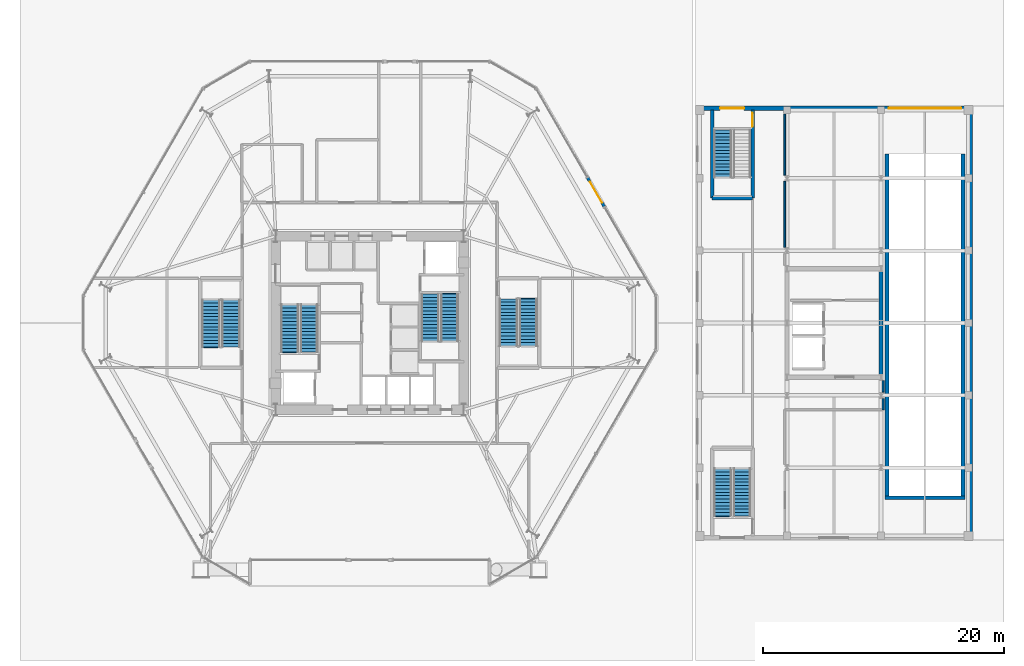
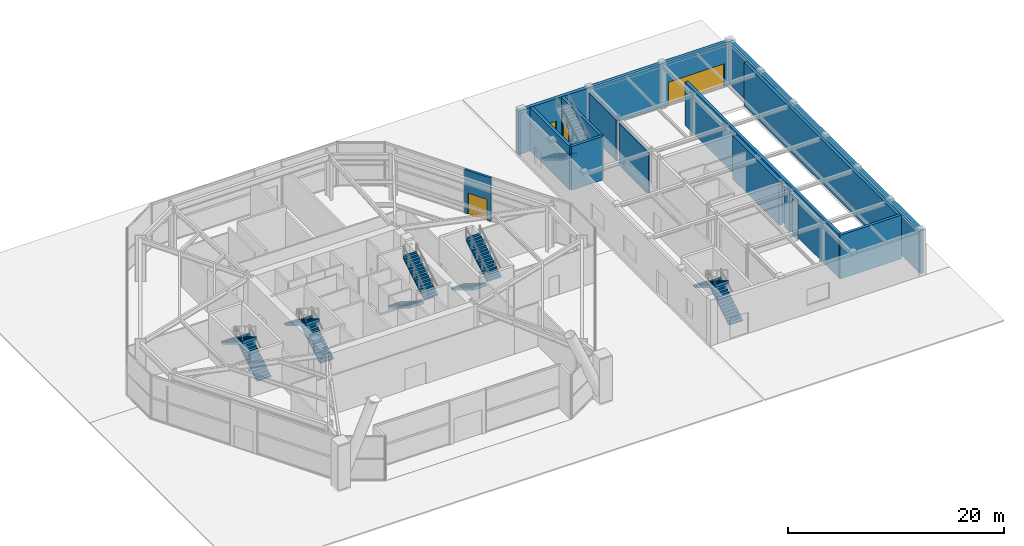
# One storey, part 20 of 26: 14 walls, 11 stair flights, 4 doors, 4 openings, 6 elements without a shape of their own.
"""IFC4 building model written with IfcOpenShell, lengths in metres."""

from ifc_helpers import new_model, si_unit, direction, frame, frame_2d, origin, place, context, subcontext, project, spatial, polyline, rectangle, outline, extrude, material, layer, layer_set, type_object, element, fill, aggregate, save


model = new_model("IFC4")

# Units and contexts
model_context = context("Model", 3, precision=1e-05, world=origin(), true_north=direction((0.0, 1.0)))
body_context = subcontext(model_context, "Body", "Model", "MODEL_VIEW")
ifc_project = project(units=[si_unit("LENGTHUNIT", "METRE"), si_unit("AREAUNIT", "SQUARE_METRE"), si_unit("VOLUMEUNIT", "CUBIC_METRE"), si_unit("PLANEANGLEUNIT", "RADIAN"), si_unit("MASSUNIT", "GRAM", prefix="KILO")], contexts=[model_context])

# Site, building, storey
site_placement = place(None, origin())
site = spatial("IfcSite", under=ifc_project, at=site_placement, CompositionType="ELEMENT")
building_placement = place(site_placement, origin())
building = spatial("IfcBuilding", under=site, at=building_placement, Name="Kranzbogen Civic Tower", CompositionType="ELEMENT")
storey_placement = place(building_placement, origin())
storey = spatial("IfcBuildingStorey", under=building, at=storey_placement, Name="L00", CompositionType="ELEMENT", Elevation=0.0)

# Walls
ifc_material_1 = material(Name="Double-Stud Acoustic Gypsum Partition")
ifc_layer_1 = layer(ifc_material_1, 0.14990234375, Name="Double-Stud Acoustic Gypsum Partition")
ifc_layer_set_1 = layer_set([ifc_layer_1], Name="Double-Stud Acoustic Gypsum Partition")
wall_type_1 = type_object("IfcWallType", Name="Acoustic Corridor and Clinical Partition 150 mm", PredefinedType="PARTITIONING", material=ifc_layer_set_1)
wall_1_placement = place(storey_placement, frame((59.425048828125, 31.264892578125, 0.0), z_axis=(0.0, 0.0, 1.0), x_axis=(0.0, 1.0, 0.0)))
element("IfcWall", 1, at=wall_1_placement, inside=storey, type_object=wall_type_1, Name="L00 clinical corridor E2 wall part 2", PredefinedType="PARTITIONING", context=body_context, shape_type="SweptSolid", body=[
    extrude(rectangle(XDim=5.47021484375, YDim=0.14990234375, at=frame_2d((2.735107421875, 0.0))), origin(), (0.0, 0.0, 1.0), 4.580078125),
])
wall_2_placement = place(storey_placement, frame((59.425048828125, 37.264892578125, 0.0), z_axis=(0.0, 0.0, 1.0), x_axis=(0.0, 1.0, 0.0)))
element("IfcWall", 2, at=wall_2_placement, inside=storey, type_object=wall_type_1, Name="L00 clinical corridor E2 wall part 3", PredefinedType="PARTITIONING", context=body_context, shape_type="SweptSolid", body=[
    extrude(rectangle(XDim=5.045166015625, YDim=0.14990234375, at=frame_2d((2.5224609375, 0.0))), origin(), (0.0, 0.0, 1.0), 4.580078125),
])
wall_3_placement = place(storey_placement, frame((67.574951171875, 17.800048828125, 0.0), z_axis=(0.0, 0.0, 1.0), x_axis=(0.0, 1.0, 0.0)))
element("IfcWall", 3, at=wall_3_placement, inside=storey, type_object=wall_type_1, Name="L00 clinical partition 01 part 1", PredefinedType="PARTITIONING", context=body_context, shape_type="SweptSolid", body=[
    extrude(rectangle(XDim=0.93505859375, YDim=0.14990234375, at=frame_2d((0.467529296875, 0.0))), origin(), (0.0, 0.0, 1.0), 4.580078125),
])
wall_4_placement = place(storey_placement, frame((67.574951171875, 19.264892578125, 0.0), z_axis=(0.0, 0.0, 1.0), x_axis=(0.0, 1.0, 0.0)))
element("IfcWall", 4, at=wall_4_placement, inside=storey, type_object=wall_type_1, Name="L00 clinical partition 01 part 2", PredefinedType="PARTITIONING", context=body_context, shape_type="SweptSolid", body=[
    extrude(rectangle(XDim=0.945068359375, YDim=0.14990234375, at=frame_2d((0.47265625, 0.0))), origin(), (0.0, 0.0, 1.0), 4.580078125),
])
ifc_material_2 = material(Name="Concrete C40/50", Category="concrete")
ifc_layer_2 = layer(ifc_material_2, 0.35009765625, Name="Concrete C40/50")
ifc_layer_set_2 = layer_set([ifc_layer_2], Name="Concrete C40/50")
wall_type_2 = type_object("IfcWallType", Name="Health Centre Core Shear Wall 350 mm", PredefinedType="SHEAR", material=ifc_layer_set_2)
wall_5_placement = place(storey_placement, frame((67.39990234375, 20.675048828125, 0.0), z_axis=(0.0, 0.0, 1.0), x_axis=(0.0, 1.0, 0.0)))
element("IfcWall", 5, at=wall_5_placement, inside=storey, type_object=wall_type_2, Name="L00 Health Centre core East shear wall", PredefinedType="SHEAR", context=body_context, shape_type="SweptSolid", body=[
    extrude(rectangle(XDim=8.64990234375, YDim=0.35009765625, at=frame_2d((4.324951171875, 0.0))), origin(), (0.0, 0.0, 1.0), 4.93994140625),
])

# Wall, openings, doors
ifc_material_3 = material(Name="Precast concrete C40/50", Category="concrete")
ifc_layer_3 = layer(ifc_material_3, 0.3798828125, Name="Precast concrete C40/50")
ifc_layer_set_3 = layer_set([ifc_layer_3], Name="Precast concrete C40/50")
wall_type_3 = type_object("IfcWallType", Name="Health Centre Insulated Precast Facade Wall 380 mm", PredefinedType="STANDARD", material=ifc_layer_set_3)
wall_6_placement = place(storey_placement, frame((52.0, 42.81005859375, 0.0), z_axis=(0.0, 0.0, 1.0), x_axis=(1.0, 0.0, 0.0)))
wall_6 = element("IfcWall", 6, at=wall_6_placement, inside=storey, type_object=wall_type_3, Name="L00 Health Centre North facade wall", PredefinedType="STANDARD", context=body_context, shape_type="SweptSolid", body=[
    extrude(rectangle(XDim=23.0, YDim=0.3798828125, at=frame_2d((11.5, 0.0))), origin(), (0.0, 0.0, 1.0), 4.93994140625),
])
opening_1_placement = place(wall_6_placement, frame((2.050048828125, 0.0, 0.0)))
opening_1 = element("IfcOpeningElement", 7, at=opening_1_placement, cuts=wall_6, Name="Opening D-EXP", PredefinedType="OPENING", context=body_context, shape_type="SweptSolid", body=[
    extrude(rectangle(XDim=2.0, YDim=2.39990234375, at=frame_2d((1.0, 1.199951171875))), frame((0.0, 0.199951171875, 0.0), z_axis=(0.0, -1.0, 0.0), x_axis=(1.0, 0.0, 0.0)), (0.0, 0.0, 1.0), 0.39990234375),
])
opening_2_placement = place(wall_6_placement, frame((16.050048828125, 0.0, 0.0)))
opening_2 = element("IfcOpeningElement", 8, at=opening_2_placement, cuts=wall_6, Name="Opening D-VG1", PredefinedType="OPENING", context=body_context, shape_type="SweptSolid", body=[
    extrude(rectangle(XDim=6.0, YDim=2.60009765625, at=frame_2d((3.0, 1.300048828125))), frame((0.0, 0.199951171875, 0.0), z_axis=(0.0, -1.0, 0.0), x_axis=(1.0, 0.0, 0.0)), (0.0, 0.0, 1.0), 0.39990234375),
])
ifc_material_4 = material(Name="Pale Anodised Aluminium", Category="aluminium")
door_type_1 = type_object("IfcDoorType", Name="Car Park Ramp Exterior Roller Shutter 6000x2600", OperationType="ROLLINGUP", PredefinedType="GATE", material=ifc_material_4)
door_1_placement = place(opening_2_placement, origin())
door_1 = element("IfcDoor", 9, at=door_1_placement, inside=storey, type_object=door_type_1, Name="Car park vehicle ramp exterior roller shutter D-VG1", OperationType="ROLLINGUP", OverallHeight=2.60009765625, OverallWidth=6.0, PredefinedType="GATE", context=body_context, shape_type="SweptSolid", body=[
    extrude(rectangle(XDim=6.0, YDim=2.60009765625, at=frame_2d((3.0, 1.300048828125))), frame((0.0, 0.02490234375, 0.0), z_axis=(0.0, -1.0, 0.0), x_axis=(1.0, 0.0, 0.0)), (0.0, 0.0, 1.0), 0.050048828125),
])
fill(opening_2, door_1)
door_type_2 = type_object("IfcDoorType", Name="Statutory Emergency Exit Discharge Door 2000x2400", OperationType="DOUBLE_DOOR_SINGLE_SWING", PredefinedType="DOOR", material=ifc_material_4)
door_2_placement = place(opening_1_placement, origin())
door_2 = element("IfcDoor", 10, at=door_2_placement, inside=storey, type_object=door_type_2, Name="L00 Health Centre Stair 2 exterior exit door", OperationType="DOUBLE_DOOR_SINGLE_SWING", OverallHeight=2.39990234375, OverallWidth=2.0, PredefinedType="DOOR", context=body_context, shape_type="SweptSolid", body=[
    extrude(rectangle(XDim=2.0, YDim=2.39990234375, at=frame_2d((1.0, 1.199951171875))), frame((0.0, 0.02490234375, 0.0), z_axis=(0.0, -1.0, 0.0), x_axis=(1.0, 0.0, 0.0)), (0.0, 0.0, 1.0), 0.050048828125),
])
fill(opening_1, door_2)

# Wall
wall_7_placement = place(storey_placement, frame((74.81005859375, 42.6201171875, 0.0), z_axis=(0.0, 0.0, 1.0), x_axis=(0.0, -1.0, 0.0)))
element("IfcWall", 11, at=wall_7_placement, inside=storey, type_object=wall_type_3, Name="L00 Health Centre East facade wall", PredefinedType="STANDARD", context=body_context, shape_type="SweptSolid", body=[
    extrude(rectangle(XDim=35.240234375, YDim=0.3798828125, at=frame_2d((17.6201171875, 0.0))), origin(), (0.0, 0.0, 1.0), 4.93994140625),
])

# Wall, opening, door
ifc_layer_4 = layer(ifc_material_4, 0.239990234375, Name="Pale Anodised Aluminium")
ifc_layer_set_4 = layer_set([ifc_layer_4], Name="Pale Anodised Aluminium")
wall_type_4 = type_object("IfcWallType", Name="Insulated Aluminium Facade Portal Wall 240 mm", PredefinedType="STANDARD", material=ifc_layer_set_4)
wall_8_placement = place(storey_placement, frame((44.468994140625, 34.6240234375, 0.0), z_axis=(0.0, 0.0, 1.0), x_axis=(-0.49994636267, 0.866056369097, 0.0)))
wall_8 = element("IfcWall", 12, at=wall_8_placement, inside=storey, type_object=wall_type_4, Name="L00 exterior entrance portal wall 1", PredefinedType="STANDARD", context=body_context, shape_type="SweptSolid", body=[
    extrude(rectangle(XDim=2.800048828125, YDim=0.239990234375, at=frame_2d((1.39990234375, 0.0))), origin(), (0.0, 0.0, 1.0), 4.93994140625),
])
opening_3_placement = place(wall_8_placement, frame((0.39990234375, 0.0, 0.0)))
opening_3 = element("IfcOpeningElement", 13, at=opening_3_placement, cuts=wall_8, Name="Opening D-EXP", PredefinedType="OPENING", context=body_context, shape_type="SweptSolid", body=[
    extrude(rectangle(XDim=2.0, YDim=2.39990234375, at=frame_2d((1.0, 1.199951171875))), frame((0.0, 0.1298828125, 0.0), z_axis=(0.0, -1.0, 0.0), x_axis=(1.0, 0.0, 0.0)), (0.0, 0.0, 1.0), 0.260009765625),
])
door_3_placement = place(opening_3_placement, frame((2.0, 0.0, 0.0), z_axis=(0.0, 0.0, 1.0), x_axis=(-1.0, 0.0, 0.0)))
door_3 = element("IfcDoor", 14, at=door_3_placement, inside=storey, type_object=door_type_2, Name="L00 East civic plaza exit door", OperationType="DOUBLE_DOOR_SINGLE_SWING", OverallHeight=2.39990234375, OverallWidth=2.0, PredefinedType="DOOR", context=body_context, shape_type="SweptSolid", body=[
    extrude(rectangle(XDim=2.0, YDim=2.39990234375, at=frame_2d((1.0, 1.199951171875))), frame((0.0, 0.02490234375, 0.0), z_axis=(0.0, -1.0, 0.0), x_axis=(1.0, 0.0, 0.0)), (0.0, 0.0, 1.0), 0.050048828125),
])
fill(opening_3, door_3)

# Walls
ifc_layer_5 = layer(ifc_material_2, 0.300048828125, Name="Concrete C40/50")
ifc_layer_set_5 = layer_set([ifc_layer_5], Name="Concrete C40/50")
wall_type_5 = type_object("IfcWallType", Name="Structural Ramp and Stair Shaft Wall 300 mm", PredefinedType="SOLIDWALL", material=ifc_layer_set_5)
for number, where, z_axis, x_axis, name in (
    (15, (67.89990234375, 10.5, 0.0), (0.0, 0.0, 1.0), (0.0, 1.0, 0.0), "L00 vehicle ramp West shaft wall"),
    (16, (74.199951171875, 10.5, 0.0), (0.0, 0.0, 1.0), (0.0, 1.0, 0.0), "L00 vehicle ramp East shaft wall"),
):
    element("IfcWall", number, at=place(storey_placement, frame(where, z_axis=z_axis, x_axis=x_axis)), inside=storey, type_object=wall_type_5, Name=name, PredefinedType="SOLIDWALL", context=body_context, shape_type="SweptSolid", body=[
        extrude(rectangle(XDim=28.5, YDim=0.300048828125, at=frame_2d((14.25, 0.0))), origin(), (0.0, 0.0, 1.0), 4.93994140625),
    ])
wall_9_placement = place(storey_placement, frame((67.75, 10.5, 0.0), z_axis=(0.0, 0.0, 1.0), x_axis=(1.0, 0.0, 0.0)))
element("IfcWall", 17, at=wall_9_placement, inside=storey, type_object=wall_type_5, Name="L00 vehicle ramp South enclosure wall", PredefinedType="SOLIDWALL", context=body_context, shape_type="SweptSolid", body=[
    extrude(rectangle(XDim=6.60009765625, YDim=0.300048828125, at=frame_2d((3.300048828125, 0.0))), origin(), (0.0, 0.0, 1.0), 4.93994140625),
])

# Wall, opening, door
wall_10_placement = place(storey_placement, frame((56.75, 35.35009765625, 0.0), z_axis=(0.0, 0.0, 1.0), x_axis=(0.0, 1.0, 0.0)))
wall_10 = element("IfcWall", 18, at=wall_10_placement, inside=storey, type_object=wall_type_5, Name="L00 STH2 E structural stair wall", PredefinedType="SOLIDWALL", context=body_context, shape_type="SweptSolid", body=[
    extrude(rectangle(XDim=7.2998046875, YDim=0.300048828125, at=frame_2d((3.64990234375, 0.0))), origin(), (0.0, 0.0, 1.0), 4.93994140625),
])
opening_4_placement = place(wall_10_placement, frame((5.919921875, 0.0, 0.0)))
opening_4 = element("IfcOpeningElement", 19, at=opening_4_placement, cuts=wall_10, Name="Opening D-ST90", PredefinedType="OPENING", context=body_context, shape_type="SweptSolid", body=[
    extrude(rectangle(XDim=1.14990234375, YDim=2.199951171875, at=frame_2d((0.574951171875, 1.10009765625))), frame((0.0, 0.16015625, 0.0), z_axis=(0.0, -1.0, 0.0), x_axis=(1.0, 0.0, 0.0)), (0.0, 0.0, 1.0), 0.320068359375),
])
ifc_material_5 = material(Name="Steel S355", Category="steel")
door_type_3 = type_object("IfcDoorType", Name="Pressurized Stair and Lobby Fire Door 1150x2200", OperationType="NOTDEFINED", PredefinedType="DOOR", material=ifc_material_5)
door_4_placement = place(opening_4_placement, origin())
door_4 = element("IfcDoor", 20, at=door_4_placement, inside=storey, type_object=door_type_3, Name="L00 Health Centre Stair 2 fire door", OperationType="SINGLE_SWING_RIGHT", OverallHeight=2.199951171875, OverallWidth=1.14990234375, PredefinedType="DOOR", context=body_context, shape_type="SweptSolid", body=[
    extrude(rectangle(XDim=1.14990234375, YDim=2.199951171875, at=frame_2d((0.574951171875, 1.10009765625))), frame((0.0, 0.02490234375, 0.0), z_axis=(0.0, -1.0, 0.0), x_axis=(1.0, 0.0, 0.0)), (0.0, 0.0, 1.0), 0.050048828125),
])
fill(opening_4, door_4)

# Walls
wall_11_placement = place(storey_placement, frame((53.39990234375, 35.35009765625, 0.0), z_axis=(0.0, 0.0, 1.0), x_axis=(0.0, 1.0, 0.0)))
element("IfcWall", 21, at=wall_11_placement, inside=storey, type_object=wall_type_5, Name="L00 STH2 W structural stair wall", PredefinedType="SOLIDWALL", context=body_context, shape_type="SweptSolid", body=[
    extrude(rectangle(XDim=7.2998046875, YDim=0.300048828125, at=frame_2d((3.64990234375, 0.0))), origin(), (0.0, 0.0, 1.0), 4.93994140625),
])
wall_12_placement = place(storey_placement, frame((53.39990234375, 35.35009765625, 0.0), z_axis=(0.0, 0.0, 1.0), x_axis=(1.0, 0.0, 0.0)))
element("IfcWall", 22, at=wall_12_placement, inside=storey, type_object=wall_type_5, Name="L00 STH2 S structural stair wall", PredefinedType="SOLIDWALL", context=body_context, shape_type="SweptSolid", body=[
    extrude(rectangle(XDim=3.35009765625, YDim=0.300048828125, at=frame_2d((1.675048828125, 0.0))), origin(), (0.0, 0.0, 1.0), 4.93994140625),
])

# Stair, stair flights
stair_type_1 = type_object("IfcStairType", Name="Tower Core Pressurized Dogleg Stair 1450", PredefinedType="HALF_TURN_STAIR", material=ifc_material_3)
stair_1_placement = place(storey_placement, origin())
stair_1 = element("IfcStair", 23, at=stair_1_placement, inside=storey, type_object=stair_type_1, Name="L00 Tower Core Pressurized Stair 1", PredefinedType="HALF_TURN_STAIR")
stair_flight_type = type_object("IfcStairFlightType", Name="Precast Concrete Stair Flight R173", PredefinedType="STRAIGHT", material=ifc_material_3)
stair_flight_1_placement = place(storey_placement, frame((19.97509765625, 22.60009765625, 0.0), z_axis=(0.0, 0.0, 1.0), x_axis=(0.0, 1.0, 0.0)))
stair_flight_1 = element("IfcStairFlight", 24, at=stair_flight_1_placement, type_object=stair_flight_type, Name="ST-T1 flight 1", NumberOfRisers=15, NumberOfTreads=14, PredefinedType="STRAIGHT", RiserHeight=0.173333333, TreadLength=0.28, context=body_context, shape_type="SweptSolid", body=[
    extrude(outline(polyline([(0.0, 0.0), (0.0, 0.17333984375), (0.280029296875, 0.17333984375), (0.280029296875, 0.3466796875), (0.56005859375, 0.3466796875), (0.56005859375, 0.52001953125), (0.840087890625, 0.52001953125), (0.840087890625, 0.693359375), (1.1201171875, 0.693359375), (1.1201171875, 0.86669921875), (1.39990234375, 0.86669921875), (1.39990234375, 1.0400390625), (1.679931640625, 1.0400390625), (1.679931640625, 1.21337890625), (1.9599609375, 1.21337890625), (1.9599609375, 1.38671875), (2.239990234375, 1.38671875), (2.239990234375, 1.56005859375), (2.52001953125, 1.56005859375), (2.52001953125, 1.7333984375), (2.800048828125, 1.7333984375), (2.800048828125, 1.90673828125), (3.080078125, 1.90673828125), (3.080078125, 2.080078125), (3.360107421875, 2.080078125), (3.360107421875, 2.25341796875), (3.639892578125, 2.25341796875), (3.639892578125, 2.4267578125), (3.919921875, 2.4267578125), (3.919921875, 2.60009765625), (4.0, 2.60009765625), (4.0, 2.250244140625), (0.284912109375, 0.0), (0.0, 0.0)])), frame((0.0, 0.72509765625, 0.0), z_axis=(0.0, -1.0, 0.0), x_axis=(1.0, 0.0, 0.0)), (0.0, 0.0, 1.0), 1.449951171875),
])
stair_flight_2_placement = place(storey_placement, frame((18.375, 26.52001953125, 2.60009765625), z_axis=(0.0, 0.0, 1.0), x_axis=(0.0, -1.0, 0.0)))
stair_flight_2 = element("IfcStairFlight", 25, at=stair_flight_2_placement, type_object=stair_flight_type, Name="ST-T1 flight 2", NumberOfRisers=15, NumberOfTreads=14, PredefinedType="STRAIGHT", RiserHeight=0.173333333, TreadLength=0.28, context=body_context, shape_type="SweptSolid", body=[
    extrude(outline(polyline([(0.0, 0.0), (0.0, 0.17333984375), (0.280029296875, 0.17333984375), (0.280029296875, 0.3466796875), (0.56005859375, 0.3466796875), (0.56005859375, 0.52001953125), (0.840087890625, 0.52001953125), (0.840087890625, 0.693359375), (1.1201171875, 0.693359375), (1.1201171875, 0.86669921875), (1.39990234375, 0.86669921875), (1.39990234375, 1.0400390625), (1.679931640625, 1.0400390625), (1.679931640625, 1.21337890625), (1.9599609375, 1.21337890625), (1.9599609375, 1.38671875), (2.239990234375, 1.38671875), (2.239990234375, 1.56005859375), (2.52001953125, 1.56005859375), (2.52001953125, 1.7333984375), (2.800048828125, 1.7333984375), (2.800048828125, 1.90673828125), (3.080078125, 1.90673828125), (3.080078125, 2.080078125), (3.360107421875, 2.080078125), (3.360107421875, 2.25341796875), (3.639892578125, 2.25341796875), (3.639892578125, 2.4267578125), (3.919921875, 2.4267578125), (3.919921875, 2.60009765625), (4.0, 2.60009765625), (4.0, 2.250244140625), (0.284912109375, 0.0), (0.0, 0.0)])), frame((0.0, 0.72509765625, 0.0), z_axis=(0.0, -1.0, 0.0), x_axis=(1.0, 0.0, 0.0)), (0.0, 0.0, 1.0), 1.449951171875),
])
aggregate(stair_1, [stair_flight_1, stair_flight_2])

stair_type_2 = type_object("IfcStairType", Name="Tower Core Secondary Dogleg Stair 1450", PredefinedType="HALF_TURN_STAIR", material=ifc_material_3)
stair_2_placement = place(storey_placement, origin())
stair_2 = element("IfcStair", 26, at=stair_2_placement, inside=storey, type_object=stair_type_2, Name="L00 Tower Core Pressurized Stair 2", PredefinedType="HALF_TURN_STAIR")
stair_flight_3_placement = place(storey_placement, frame((30.02490234375, 27.39990234375, 0.0), z_axis=(0.0, 0.0, 1.0), x_axis=(0.0, -1.0, 0.0)))
stair_flight_3 = element("IfcStairFlight", 27, at=stair_flight_3_placement, type_object=stair_flight_type, Name="ST-T2 flight 1", NumberOfRisers=15, NumberOfTreads=14, PredefinedType="STRAIGHT", RiserHeight=0.173333333, TreadLength=0.28, context=body_context, shape_type="SweptSolid", body=[
    extrude(outline(polyline([(0.0, 0.0), (0.0, 0.17333984375), (0.280029296875, 0.17333984375), (0.280029296875, 0.3466796875), (0.56005859375, 0.3466796875), (0.56005859375, 0.52001953125), (0.840087890625, 0.52001953125), (0.840087890625, 0.693359375), (1.1201171875, 0.693359375), (1.1201171875, 0.86669921875), (1.39990234375, 0.86669921875), (1.39990234375, 1.0400390625), (1.679931640625, 1.0400390625), (1.679931640625, 1.21337890625), (1.9599609375, 1.21337890625), (1.9599609375, 1.38671875), (2.239990234375, 1.38671875), (2.239990234375, 1.56005859375), (2.52001953125, 1.56005859375), (2.52001953125, 1.7333984375), (2.800048828125, 1.7333984375), (2.800048828125, 1.90673828125), (3.080078125, 1.90673828125), (3.080078125, 2.080078125), (3.360107421875, 2.080078125), (3.360107421875, 2.25341796875), (3.639892578125, 2.25341796875), (3.639892578125, 2.4267578125), (3.919921875, 2.4267578125), (3.919921875, 2.60009765625), (4.0, 2.60009765625), (4.0, 2.250244140625), (0.284912109375, 0.0), (0.0, 0.0)])), frame((0.0, 0.72509765625, 0.0), z_axis=(0.0, -1.0, 0.0), x_axis=(1.0, 0.0, 0.0)), (0.0, 0.0, 1.0), 1.449951171875),
])
stair_flight_4_placement = place(storey_placement, frame((31.625, 23.47998046875, 2.60009765625), z_axis=(0.0, 0.0, 1.0), x_axis=(0.0, 1.0, 0.0)))
stair_flight_4 = element("IfcStairFlight", 28, at=stair_flight_4_placement, type_object=stair_flight_type, Name="ST-T2 flight 2", NumberOfRisers=15, NumberOfTreads=14, PredefinedType="STRAIGHT", RiserHeight=0.173333333, TreadLength=0.28, context=body_context, shape_type="SweptSolid", body=[
    extrude(outline(polyline([(0.0, 0.0), (0.0, 0.17333984375), (0.280029296875, 0.17333984375), (0.280029296875, 0.3466796875), (0.56005859375, 0.3466796875), (0.56005859375, 0.52001953125), (0.840087890625, 0.52001953125), (0.840087890625, 0.693359375), (1.1201171875, 0.693359375), (1.1201171875, 0.86669921875), (1.39990234375, 0.86669921875), (1.39990234375, 1.0400390625), (1.679931640625, 1.0400390625), (1.679931640625, 1.21337890625), (1.9599609375, 1.21337890625), (1.9599609375, 1.38671875), (2.239990234375, 1.38671875), (2.239990234375, 1.56005859375), (2.52001953125, 1.56005859375), (2.52001953125, 1.7333984375), (2.800048828125, 1.7333984375), (2.800048828125, 1.90673828125), (3.080078125, 1.90673828125), (3.080078125, 2.080078125), (3.360107421875, 2.080078125), (3.360107421875, 2.25341796875), (3.639892578125, 2.25341796875), (3.639892578125, 2.4267578125), (3.919921875, 2.4267578125), (3.919921875, 2.60009765625), (4.0, 2.60009765625), (4.0, 2.250244140625), (0.284912109375, 0.0), (0.0, 0.0)])), frame((0.0, 0.72509765625, 0.0), z_axis=(0.0, -1.0, 0.0), x_axis=(1.0, 0.0, 0.0)), (0.0, 0.0, 1.0), 1.449951171875),
])
aggregate(stair_2, [stair_flight_3, stair_flight_4])

stair_type_3 = type_object("IfcStairType", Name="Podium Assembly Dogleg Stair 1500", PredefinedType="HALF_TURN_STAIR", material=ifc_material_3)
stair_3_placement = place(storey_placement, origin())
stair_3 = element("IfcStair", 29, at=stair_3_placement, inside=storey, type_object=stair_type_3, Name="L00 Podium Assembly Stair West", PredefinedType="HALF_TURN_STAIR")
stair_flight_5_placement = place(storey_placement, frame((13.5, 23.0, 0.0), z_axis=(0.0, 0.0, 1.0), x_axis=(0.0, 1.0, 0.0)))
stair_flight_5 = element("IfcStairFlight", 30, at=stair_flight_5_placement, type_object=stair_flight_type, Name="ST-P1 flight 1", NumberOfRisers=15, NumberOfTreads=14, PredefinedType="STRAIGHT", RiserHeight=0.173333333, TreadLength=0.28, context=body_context, shape_type="SweptSolid", body=[
    extrude(outline(polyline([(0.0, 0.0), (0.0, 0.17333984375), (0.280029296875, 0.17333984375), (0.280029296875, 0.3466796875), (0.56005859375, 0.3466796875), (0.56005859375, 0.52001953125), (0.840087890625, 0.52001953125), (0.840087890625, 0.693359375), (1.1201171875, 0.693359375), (1.1201171875, 0.86669921875), (1.39990234375, 0.86669921875), (1.39990234375, 1.0400390625), (1.679931640625, 1.0400390625), (1.679931640625, 1.21337890625), (1.9599609375, 1.21337890625), (1.9599609375, 1.38671875), (2.239990234375, 1.38671875), (2.239990234375, 1.56005859375), (2.52001953125, 1.56005859375), (2.52001953125, 1.7333984375), (2.800048828125, 1.7333984375), (2.800048828125, 1.90673828125), (3.080078125, 1.90673828125), (3.080078125, 2.080078125), (3.360107421875, 2.080078125), (3.360107421875, 2.25341796875), (3.639892578125, 2.25341796875), (3.639892578125, 2.4267578125), (3.919921875, 2.4267578125), (3.919921875, 2.60009765625), (4.0, 2.60009765625), (4.0, 2.250244140625), (0.284912109375, 0.0), (0.0, 0.0)])), frame((0.0, 0.75, 0.0), z_axis=(0.0, -1.0, 0.0), x_axis=(1.0, 0.0, 0.0)), (0.0, 0.0, 1.0), 1.5),
])
stair_flight_6_placement = place(storey_placement, frame((11.85009765625, 26.919921875, 2.60009765625), z_axis=(0.0, 0.0, 1.0), x_axis=(0.0, -1.0, 0.0)))
stair_flight_6 = element("IfcStairFlight", 31, at=stair_flight_6_placement, type_object=stair_flight_type, Name="ST-P1 flight 2", NumberOfRisers=15, NumberOfTreads=14, PredefinedType="STRAIGHT", RiserHeight=0.173333333, TreadLength=0.28, context=body_context, shape_type="SweptSolid", body=[
    extrude(outline(polyline([(0.0, 0.0), (0.0, 0.17333984375), (0.280029296875, 0.17333984375), (0.280029296875, 0.3466796875), (0.56005859375, 0.3466796875), (0.56005859375, 0.52001953125), (0.840087890625, 0.52001953125), (0.840087890625, 0.693359375), (1.1201171875, 0.693359375), (1.1201171875, 0.86669921875), (1.39990234375, 0.86669921875), (1.39990234375, 1.0400390625), (1.679931640625, 1.0400390625), (1.679931640625, 1.21337890625), (1.9599609375, 1.21337890625), (1.9599609375, 1.38671875), (2.239990234375, 1.38671875), (2.239990234375, 1.56005859375), (2.52001953125, 1.56005859375), (2.52001953125, 1.7333984375), (2.800048828125, 1.7333984375), (2.800048828125, 1.90673828125), (3.080078125, 1.90673828125), (3.080078125, 2.080078125), (3.360107421875, 2.080078125), (3.360107421875, 2.25341796875), (3.639892578125, 2.25341796875), (3.639892578125, 2.4267578125), (3.919921875, 2.4267578125), (3.919921875, 2.60009765625), (4.0, 2.60009765625), (4.0, 2.250244140625), (0.284912109375, 0.0), (0.0, 0.0)])), frame((0.0, 0.75, 0.0), z_axis=(0.0, -1.0, 0.0), x_axis=(1.0, 0.0, 0.0)), (0.0, 0.0, 1.0), 1.5),
])
aggregate(stair_3, [stair_flight_5, stair_flight_6])

stair_4_placement = place(storey_placement, origin())
stair_4 = element("IfcStair", 32, at=stair_4_placement, inside=storey, type_object=stair_type_3, Name="L00 Podium Assembly Stair East", PredefinedType="HALF_TURN_STAIR")
stair_flight_7_placement = place(storey_placement, frame((36.5, 27.0, 0.0), z_axis=(0.0, 0.0, 1.0), x_axis=(0.0, -1.0, 0.0)))
stair_flight_7 = element("IfcStairFlight", 33, at=stair_flight_7_placement, type_object=stair_flight_type, Name="ST-P2 flight 1", NumberOfRisers=15, NumberOfTreads=14, PredefinedType="STRAIGHT", RiserHeight=0.173333333, TreadLength=0.28, context=body_context, shape_type="SweptSolid", body=[
    extrude(outline(polyline([(0.0, 0.0), (0.0, 0.17333984375), (0.280029296875, 0.17333984375), (0.280029296875, 0.3466796875), (0.56005859375, 0.3466796875), (0.56005859375, 0.52001953125), (0.840087890625, 0.52001953125), (0.840087890625, 0.693359375), (1.1201171875, 0.693359375), (1.1201171875, 0.86669921875), (1.39990234375, 0.86669921875), (1.39990234375, 1.0400390625), (1.679931640625, 1.0400390625), (1.679931640625, 1.21337890625), (1.9599609375, 1.21337890625), (1.9599609375, 1.38671875), (2.239990234375, 1.38671875), (2.239990234375, 1.56005859375), (2.52001953125, 1.56005859375), (2.52001953125, 1.7333984375), (2.800048828125, 1.7333984375), (2.800048828125, 1.90673828125), (3.080078125, 1.90673828125), (3.080078125, 2.080078125), (3.360107421875, 2.080078125), (3.360107421875, 2.25341796875), (3.639892578125, 2.25341796875), (3.639892578125, 2.4267578125), (3.919921875, 2.4267578125), (3.919921875, 2.60009765625), (4.0, 2.60009765625), (4.0, 2.250244140625), (0.284912109375, 0.0), (0.0, 0.0)])), frame((0.0, 0.75, 0.0), z_axis=(0.0, -1.0, 0.0), x_axis=(1.0, 0.0, 0.0)), (0.0, 0.0, 1.0), 1.5),
])
stair_flight_8_placement = place(storey_placement, frame((38.14990234375, 23.080078125, 2.60009765625), z_axis=(0.0, 0.0, 1.0), x_axis=(0.0, 1.0, 0.0)))
stair_flight_8 = element("IfcStairFlight", 34, at=stair_flight_8_placement, type_object=stair_flight_type, Name="ST-P2 flight 2", NumberOfRisers=15, NumberOfTreads=14, PredefinedType="STRAIGHT", RiserHeight=0.173333333, TreadLength=0.28, context=body_context, shape_type="SweptSolid", body=[
    extrude(outline(polyline([(0.0, 0.0), (0.0, 0.17333984375), (0.280029296875, 0.17333984375), (0.280029296875, 0.3466796875), (0.56005859375, 0.3466796875), (0.56005859375, 0.52001953125), (0.840087890625, 0.52001953125), (0.840087890625, 0.693359375), (1.1201171875, 0.693359375), (1.1201171875, 0.86669921875), (1.39990234375, 0.86669921875), (1.39990234375, 1.0400390625), (1.679931640625, 1.0400390625), (1.679931640625, 1.21337890625), (1.9599609375, 1.21337890625), (1.9599609375, 1.38671875), (2.239990234375, 1.38671875), (2.239990234375, 1.56005859375), (2.52001953125, 1.56005859375), (2.52001953125, 1.7333984375), (2.800048828125, 1.7333984375), (2.800048828125, 1.90673828125), (3.080078125, 1.90673828125), (3.080078125, 2.080078125), (3.360107421875, 2.080078125), (3.360107421875, 2.25341796875), (3.639892578125, 2.25341796875), (3.639892578125, 2.4267578125), (3.919921875, 2.4267578125), (3.919921875, 2.60009765625), (4.0, 2.60009765625), (4.0, 2.250244140625), (0.284912109375, 0.0), (0.0, 0.0)])), frame((0.0, 0.75, 0.0), z_axis=(0.0, -1.0, 0.0), x_axis=(1.0, 0.0, 0.0)), (0.0, 0.0, 1.0), 1.5),
])
aggregate(stair_4, [stair_flight_7, stair_flight_8])

stair_type_4 = type_object("IfcStairType", Name="Health Centre Escape Dogleg Stair 1450", PredefinedType="HALF_TURN_STAIR", material=ifc_material_3)
stair_5_placement = place(storey_placement, origin())
stair_5 = element("IfcStair", 35, at=stair_5_placement, inside=storey, type_object=stair_type_4, Name="L00 Health Centre Escape Stair 1", PredefinedType="HALF_TURN_STAIR")
stair_flight_9_placement = place(storey_placement, frame((55.875, 9.0, 0.0), z_axis=(0.0, 0.0, 1.0), x_axis=(0.0, 1.0, 0.0)))
stair_flight_9 = element("IfcStairFlight", 36, at=stair_flight_9_placement, type_object=stair_flight_type, Name="ST-H1 flight 1", NumberOfRisers=15, NumberOfTreads=14, PredefinedType="STRAIGHT", RiserHeight=0.173333333, TreadLength=0.28, context=body_context, shape_type="SweptSolid", body=[
    extrude(outline(polyline([(0.0, 0.0), (0.0, 0.17333984375), (0.280029296875, 0.17333984375), (0.280029296875, 0.3466796875), (0.56005859375, 0.3466796875), (0.56005859375, 0.52001953125), (0.840087890625, 0.52001953125), (0.840087890625, 0.693359375), (1.1201171875, 0.693359375), (1.1201171875, 0.86669921875), (1.39990234375, 0.86669921875), (1.39990234375, 1.0400390625), (1.679931640625, 1.0400390625), (1.679931640625, 1.21337890625), (1.9599609375, 1.21337890625), (1.9599609375, 1.38671875), (2.239990234375, 1.38671875), (2.239990234375, 1.56005859375), (2.52001953125, 1.56005859375), (2.52001953125, 1.7333984375), (2.800048828125, 1.7333984375), (2.800048828125, 1.90673828125), (3.080078125, 1.90673828125), (3.080078125, 2.080078125), (3.360107421875, 2.080078125), (3.360107421875, 2.25341796875), (3.639892578125, 2.25341796875), (3.639892578125, 2.4267578125), (3.919921875, 2.4267578125), (3.919921875, 2.60009765625), (4.0, 2.60009765625), (4.0, 2.250244140625), (0.284912109375, 0.0), (0.0, 0.0)])), frame((0.0, 0.72509765625, 0.0), z_axis=(0.0, -1.0, 0.0), x_axis=(1.0, 0.0, 0.0)), (0.0, 0.0, 1.0), 1.449951171875),
])
stair_flight_10_placement = place(storey_placement, frame((54.27490234375, 12.919921875, 2.60009765625), z_axis=(0.0, 0.0, 1.0), x_axis=(0.0, -1.0, 0.0)))
stair_flight_10 = element("IfcStairFlight", 37, at=stair_flight_10_placement, type_object=stair_flight_type, Name="ST-H1 flight 2", NumberOfRisers=15, NumberOfTreads=14, PredefinedType="STRAIGHT", RiserHeight=0.173333333, TreadLength=0.28, context=body_context, shape_type="SweptSolid", body=[
    extrude(outline(polyline([(0.0, 0.0), (0.0, 0.17333984375), (0.280029296875, 0.17333984375), (0.280029296875, 0.3466796875), (0.56005859375, 0.3466796875), (0.56005859375, 0.52001953125), (0.840087890625, 0.52001953125), (0.840087890625, 0.693359375), (1.1201171875, 0.693359375), (1.1201171875, 0.86669921875), (1.39990234375, 0.86669921875), (1.39990234375, 1.0400390625), (1.679931640625, 1.0400390625), (1.679931640625, 1.21337890625), (1.9599609375, 1.21337890625), (1.9599609375, 1.38671875), (2.239990234375, 1.38671875), (2.239990234375, 1.56005859375), (2.52001953125, 1.56005859375), (2.52001953125, 1.7333984375), (2.800048828125, 1.7333984375), (2.800048828125, 1.90673828125), (3.080078125, 1.90673828125), (3.080078125, 2.080078125), (3.360107421875, 2.080078125), (3.360107421875, 2.25341796875), (3.639892578125, 2.25341796875), (3.639892578125, 2.4267578125), (3.919921875, 2.4267578125), (3.919921875, 2.60009765625), (4.0, 2.60009765625), (4.0, 2.250244140625), (0.284912109375, 0.0), (0.0, 0.0)])), frame((0.0, 0.72509765625, 0.0), z_axis=(0.0, -1.0, 0.0), x_axis=(1.0, 0.0, 0.0)), (0.0, 0.0, 1.0), 1.449951171875),
])
aggregate(stair_5, [stair_flight_9, stair_flight_10])

# Stair, stair flight
stair_6_placement = place(storey_placement, origin())
stair_6 = element("IfcStair", 38, at=stair_6_placement, inside=storey, type_object=stair_type_4, Name="L00 Health Centre Escape Stair 2", PredefinedType="HALF_TURN_STAIR")
stair_flight_11_placement = place(storey_placement, frame((54.27490234375, 41.0, 0.0), z_axis=(0.0, 0.0, 1.0), x_axis=(0.0, -1.0, 0.0)))
stair_flight_11 = element("IfcStairFlight", 39, at=stair_flight_11_placement, type_object=stair_flight_type, Name="ST-H2 flight 1", NumberOfRisers=15, NumberOfTreads=14, PredefinedType="STRAIGHT", RiserHeight=0.173333333, TreadLength=0.28, context=body_context, shape_type="SweptSolid", body=[
    extrude(outline(polyline([(0.0, 0.0), (0.0, 0.17333984375), (0.280029296875, 0.17333984375), (0.280029296875, 0.3466796875), (0.56005859375, 0.3466796875), (0.56005859375, 0.52001953125), (0.840087890625, 0.52001953125), (0.840087890625, 0.693359375), (1.1201171875, 0.693359375), (1.1201171875, 0.86669921875), (1.39990234375, 0.86669921875), (1.39990234375, 1.0400390625), (1.679931640625, 1.0400390625), (1.679931640625, 1.21337890625), (1.9599609375, 1.21337890625), (1.9599609375, 1.38671875), (2.239990234375, 1.38671875), (2.239990234375, 1.56005859375), (2.52001953125, 1.56005859375), (2.52001953125, 1.7333984375), (2.800048828125, 1.7333984375), (2.800048828125, 1.90673828125), (3.080078125, 1.90673828125), (3.080078125, 2.080078125), (3.360107421875, 2.080078125), (3.360107421875, 2.25341796875), (3.639892578125, 2.25341796875), (3.639892578125, 2.4267578125), (3.919921875, 2.4267578125), (3.919921875, 2.60009765625), (4.0, 2.60009765625), (4.0, 2.250244140625), (0.284912109375, 0.0), (0.0, 0.0)])), frame((0.0, 0.72509765625, 0.0), z_axis=(0.0, -1.0, 0.0), x_axis=(1.0, 0.0, 0.0)), (0.0, 0.0, 1.0), 1.449951171875),
])
aggregate(stair_6, [stair_flight_11])

save(model, "model.ifc")
